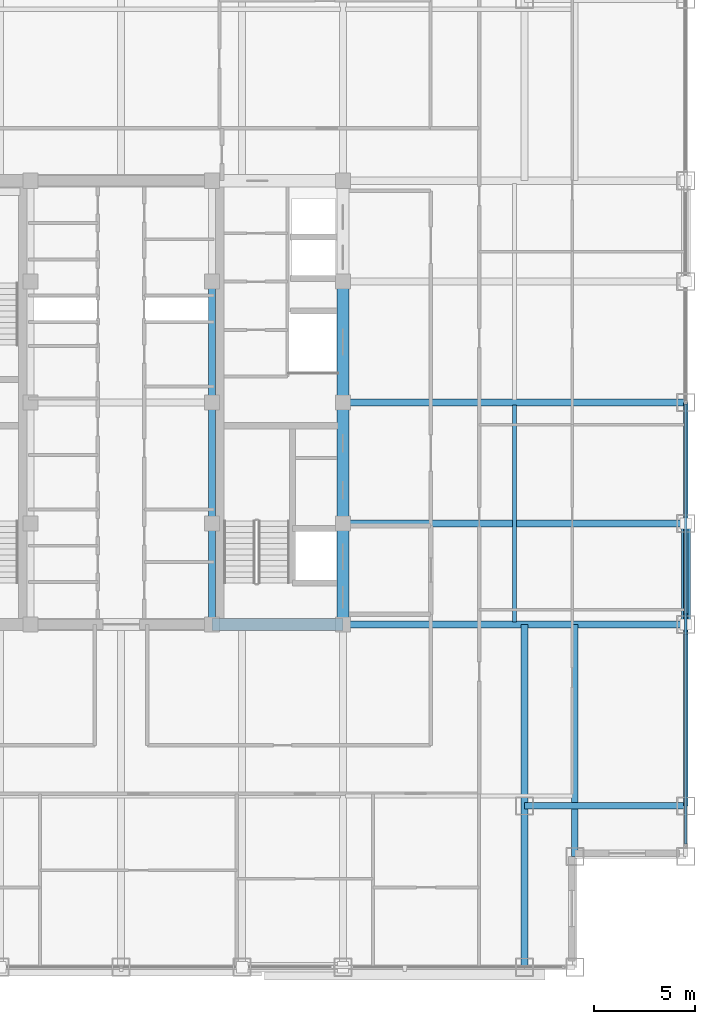
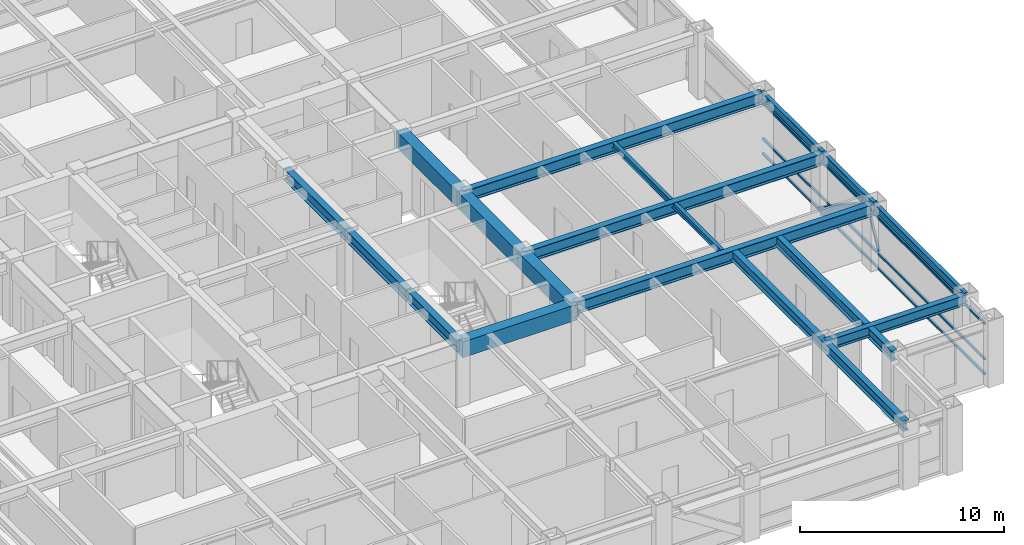
# One storey, part 9 of 27: 17 beams, 5 members, 1 element without a shape of its own.
"""IFC4 building model written with IfcOpenShell, lengths in metres."""

from ifc_helpers import new_model, si_unit, direction, frame, origin, origin_2d, place, context, subcontext, project, spatial, rectangle, hollow_rectangle, i_section, extrude, source, transform, mapped, material, material_profile, profile_set, type_object, element, aggregate, save


model = new_model("IFC4")

# Units and contexts
model_context = context("Model", 3, precision=1e-05, world=origin(), true_north=direction((0.0, 1.0)))
body_context = subcontext(model_context, "Body", "Model", "MODEL_VIEW")
ifc_project = project(units=[si_unit("LENGTHUNIT", "METRE"), si_unit("AREAUNIT", "SQUARE_METRE"), si_unit("VOLUMEUNIT", "CUBIC_METRE"), si_unit("PLANEANGLEUNIT", "RADIAN"), si_unit("MASSUNIT", "GRAM", prefix="KILO")], contexts=[model_context])

# Site, building, storey
site_placement = place(None, origin())
site = spatial("IfcSite", under=ifc_project, at=site_placement, CompositionType="ELEMENT")
building_placement = place(site_placement, origin())
building = spatial("IfcBuilding", under=site, at=building_placement, Name="Khorayat Bourse Tower", CompositionType="ELEMENT")
storey_placement = place(building_placement, frame((0.0, 0.0, 285.5)))
storey = spatial("IfcBuildingStorey", under=building, at=storey_placement, Name="L67", CompositionType="ELEMENT", Elevation=285.5)

# Beams
ifc_material_1 = material(Name="Steel ASTM A992 Grade 50", Category="steel")
ifc_material_profile_1 = material_profile(ifc_material_1, i_section(OverallWidth=0.35498046875, OverallDepth=0.695068359375, WebThickness=0.015380859375, FlangeThickness=0.02490234375, FilletRadius=0.01806640625, at=origin_2d()), Name="W690X217")
ifc_profile_set_1 = profile_set([ifc_material_profile_1], Name="Steel ASTM A992 Grade 50")
beam_type_1 = type_object("IfcBeamType", Name="BM-GIRD-690", PredefinedType="BEAM", material=ifc_profile_set_1)
shared_shape_1 = source(origin(), body_context, "Body", "SweptSolid", [
    extrude(i_section(OverallWidth=0.35498046875, OverallDepth=0.695068359375, WebThickness=0.015380859375, FlangeThickness=0.02490234375, FilletRadius=0.01806640625, at=origin_2d()), origin(), (0.0, 0.0, 1.0), 5.0),
])
beam_1_placement = place(storey_placement, frame((4.5, -11.0, 3.4326171875), z_axis=(0.0, 1.0, 0.0), x_axis=(-1.0, 0.0, 0.0)))
element("IfcBeam", 1, at=beam_1_placement, inside=storey, type_object=beam_type_1, Name="L67 BM-GIRD-690 BM-L67-CRX-09", PredefinedType="BEAM", context=body_context, shape_type="MappedRepresentation", body=[
    mapped(shared_shape_1, transform((0.0, 0.0, 0.0), scale=1.0)),
])
shared_shape_2 = source(origin(), body_context, "Body", "SweptSolid", [
    extrude(i_section(OverallWidth=0.35498046875, OverallDepth=0.695068359375, WebThickness=0.015380859375, FlangeThickness=0.02490234375, FilletRadius=0.01806640625, at=origin_2d()), origin(), (0.0, 0.0, 1.0), 6.0),
])
for number, where, z_axis, x_axis, name in (
    (2, (4.5, -6.0, 3.4326171875), (0.0, 1.0, 0.0), (-1.0, 0.0, 0.0), "L67 BM-GIRD-690 BM-L67-CRX-10"),
    (3, (4.5, 0.0, 3.4326171875), (0.0, 1.0, 0.0), (-1.0, 0.0, 0.0), "L67 BM-GIRD-690 BM-L67-CRX-11"),
):
    element("IfcBeam", number, at=place(storey_placement, frame(where, z_axis=z_axis, x_axis=x_axis)), inside=storey, type_object=beam_type_1, Name=name, PredefinedType="BEAM", context=body_context, shape_type="MappedRepresentation", body=[
        mapped(shared_shape_2, transform((0.0, 0.0, 0.0), scale=1.0)),
    ])
ifc_material_profile_2 = material_profile(ifc_material_1, i_section(OverallWidth=0.324951171875, OverallDepth=0.615966796875, WebThickness=0.013916015625, FlangeThickness=0.021484375, FilletRadius=0.01611328125, at=origin_2d()), Name="W610X174")
ifc_profile_set_2 = profile_set([ifc_material_profile_2], Name="Steel ASTM A992 Grade 50")
beam_type_2 = type_object("IfcBeamType", Name="BM-GIRD-610", PredefinedType="BEAM", material=ifc_profile_set_2)
shared_shape_3 = source(origin(), body_context, "Body", "SweptSolid", [
    extrude(i_section(OverallWidth=0.324951171875, OverallDepth=0.615966796875, WebThickness=0.013916015625, FlangeThickness=0.021484375, FilletRadius=0.01611328125, at=origin_2d()), origin(), (0.0, 0.0, 1.0), 17.0),
])
beam_2_placement = place(storey_placement, frame((20.0, -28.0, 3.471923828125), z_axis=(0.0, 1.0, 0.0), x_axis=(-1.0, 0.0, 0.0)))
element("IfcBeam", 4, at=beam_2_placement, inside=storey, type_object=beam_type_2, Name="L67 BM-GIRD-610 BM-L67-CNRY-086", PredefinedType="BEAM", context=body_context, shape_type="MappedRepresentation", body=[
    mapped(shared_shape_3, transform((0.0, 0.0, 0.0), scale=1.0)),
])
ifc_material_2 = material(Name="Concrete C60/75", Category="concrete")
ifc_material_profile_3 = material_profile(ifc_material_2, rectangle(XDim=0.60009765625, YDim=0.949951171875, at=origin_2d()), Name="RC 600x950")
ifc_profile_set_3 = profile_set([ifc_material_profile_3], Name="Concrete C60/75")
beam_type_3 = type_object("IfcBeamType", Name="BM-COUP-950", PredefinedType="BEAM", material=ifc_profile_set_3)
shared_shape_4 = source(origin(), body_context, "Body", "SweptSolid", [
    extrude(rectangle(XDim=0.60009765625, YDim=0.949951171875, at=origin_2d()), origin(), (0.0, 0.0, 1.0), 5.0),
])
beam_3_placement = place(storey_placement, frame((11.0, -11.0, 3.304931640625), z_axis=(0.0, 1.0, 0.0), x_axis=(-1.0, 0.0, 0.0)))
element("IfcBeam", 5, at=beam_3_placement, inside=storey, type_object=beam_type_3, Name="L67 BM-COUP-950 BM-L67-CRX-13", PredefinedType="BEAM", context=body_context, shape_type="MappedRepresentation", body=[
    mapped(shared_shape_4, transform((0.0, 0.0, 0.0), scale=1.0)),
])
shared_shape_5 = source(origin(), body_context, "Body", "SweptSolid", [
    extrude(rectangle(XDim=0.60009765625, YDim=0.949951171875, at=origin_2d()), origin(), (0.0, 0.0, 1.0), 6.0),
])
for number, where, z_axis, x_axis, name in (
    (6, (11.0, -6.0, 3.304931640625), (0.0, 1.0, 0.0), (-1.0, 0.0, 0.0), "L67 BM-COUP-950 BM-L67-CRX-14"),
    (7, (11.0, 0.0, 3.304931640625), (0.0, 1.0, 0.0), (-1.0, 0.0, 0.0), "L67 BM-COUP-950 BM-L67-CRX-15"),
):
    element("IfcBeam", number, at=place(storey_placement, frame(where, z_axis=z_axis, x_axis=x_axis)), inside=storey, type_object=beam_type_3, Name=name, PredefinedType="BEAM", context=body_context, shape_type="MappedRepresentation", body=[
        mapped(shared_shape_5, transform((0.0, 0.0, 0.0), scale=1.0)),
    ])
shared_shape_6 = source(origin(), body_context, "Body", "SweptSolid", [
    extrude(rectangle(XDim=0.60009765625, YDim=0.949951171875, at=origin_2d()), origin(), (0.0, 0.0, 1.0), 6.5),
])
beam_4_placement = place(storey_placement, frame((4.5, -11.0, 3.304931640625), z_axis=(1.0, 0.0, 0.0), x_axis=(0.0, 1.0, 0.0)))
element("IfcBeam", 8, at=beam_4_placement, inside=storey, type_object=beam_type_3, Name="L67 BM-COUP-950 BM-L67-CRY-19", PredefinedType="BEAM", context=body_context, shape_type="MappedRepresentation", body=[
    mapped(shared_shape_6, transform((0.0, 0.0, 0.0), scale=1.0)),
])

# Member
ifc_material_3 = material(Name="Steel EN 10025-4 S460M", Category="steel")
ifc_material_profile_4 = material_profile(ifc_material_3, hollow_rectangle(XDim=0.449951171875, YDim=0.449951171875, WallThickness=0.02490234375, at=origin_2d()), Name="HSS 450x450x25")
ifc_profile_set_4 = profile_set([ifc_material_profile_4], Name="Steel EN 10025-4 S460M")
member_type_1 = type_object("IfcMemberType", Name="MBR-TUBE-450", PredefinedType="BRACE", material=ifc_profile_set_4)
shared_shape_7 = source(origin(), body_context, "Body", "SweptSolid", [
    extrude(hollow_rectangle(XDim=0.449951171875, YDim=0.449951171875, WallThickness=0.02490234375, at=origin_2d()), origin(), (0.0, 0.0, 1.0), 5.979736328125),
])
member_1_placement = place(storey_placement, frame((28.0, -11.0, 3.530029296875), z_axis=(0.0, 0.836141536525, -0.548513747227), x_axis=(-1.0, 0.0, 0.0)))
element("IfcMember", 9, at=member_1_placement, inside=storey, type_object=member_type_1, Name="L67 Perimeter Tube Brace 07", PredefinedType="BRACE", context=body_context, shape_type="MappedRepresentation", body=[
    mapped(shared_shape_7, transform((0.0, 0.0, 0.0), scale=1.0)),
])

# Beams
shared_shape_8 = source(origin(), body_context, "Body", "SweptSolid", [
    extrude(i_section(OverallWidth=0.35498046875, OverallDepth=0.695068359375, WebThickness=0.015380859375, FlangeThickness=0.02490234375, FilletRadius=0.01806640625, at=origin_2d()), origin(), (0.0, 0.0, 1.0), 17.0),
])
for number, where, z_axis, x_axis, name in (
    (10, (11.0, -11.0, 3.4326171875), (1.0, 0.0, 0.0), (0.0, 1.0, 0.0), "L67 BM-GIRD-690 BM-L67-RADX-074"),
    (11, (11.0, -6.0, 3.4326171875), (1.0, 0.0, 0.0), (0.0, 1.0, 0.0), "L67 BM-GIRD-690 BM-L67-RADX-076"),
    (12, (11.0, 0.0, 3.4326171875), (1.0, 0.0, 0.0), (0.0, 1.0, 0.0), "L67 BM-GIRD-690 BM-L67-RADX-078"),
):
    element("IfcBeam", number, at=place(storey_placement, frame(where, z_axis=z_axis, x_axis=x_axis)), inside=storey, type_object=beam_type_1, Name=name, PredefinedType="BEAM", context=body_context, shape_type="MappedRepresentation", body=[
        mapped(shared_shape_8, transform((0.0, 0.0, 0.0), scale=1.0)),
    ])
shared_shape_9 = source(origin(), body_context, "Body", "SweptSolid", [
    extrude(i_section(OverallWidth=0.324951171875, OverallDepth=0.615966796875, WebThickness=0.013916015625, FlangeThickness=0.021484375, FilletRadius=0.01611328125, at=origin_2d()), origin(), (0.0, 0.0, 1.0), 11.5),
])
beam_5_placement = place(storey_placement, frame((22.5, -22.5, 3.471923828125), z_axis=(0.0, 1.0, 0.0), x_axis=(-1.0, 0.0, 0.0)))
element("IfcBeam", 13, at=beam_5_placement, inside=storey, type_object=beam_type_2, Name="L67 BM-GIRD-610 BM-L67-CNRY-090", PredefinedType="BEAM", context=body_context, shape_type="MappedRepresentation", body=[
    mapped(shared_shape_9, transform((0.0, 0.0, 0.0), scale=1.0)),
])
shared_shape_10 = source(origin(), body_context, "Body", "SweptSolid", [
    extrude(i_section(OverallWidth=0.324951171875, OverallDepth=0.615966796875, WebThickness=0.013916015625, FlangeThickness=0.021484375, FilletRadius=0.01611328125, at=origin_2d()), origin(), (0.0, 0.0, 1.0), 8.0),
])
beam_6_placement = place(storey_placement, frame((20.0, -20.0, 3.471923828125), z_axis=(1.0, 0.0, 0.0), x_axis=(0.0, 1.0, 0.0)))
element("IfcBeam", 14, at=beam_6_placement, inside=storey, type_object=beam_type_2, Name="L67 BM-GIRD-610 BM-L67-CNRX-092", PredefinedType="BEAM", context=body_context, shape_type="MappedRepresentation", body=[
    mapped(shared_shape_10, transform((0.0, 0.0, 0.0), scale=1.0)),
])
ifc_material_profile_5 = material_profile(ifc_material_1, i_section(OverallWidth=0.202880859375, OverallDepth=0.346923828125, WebThickness=0.0078125, FlangeThickness=0.013427734375, FilletRadius=0.010009765625, at=origin_2d()), Name="W360X64")
ifc_profile_set_5 = profile_set([ifc_material_profile_5], Name="Steel ASTM A992 Grade 50")
beam_type_4 = type_object("IfcBeamType", Name="BM-JOIST-360", PredefinedType="JOIST", material=ifc_profile_set_5)
shared_shape_11 = source(origin(), body_context, "Body", "SweptSolid", [
    extrude(i_section(OverallWidth=0.202880859375, OverallDepth=0.346923828125, WebThickness=0.0078125, FlangeThickness=0.013427734375, FilletRadius=0.010009765625, at=origin_2d()), origin(), (0.0, 0.0, 1.0), 10.740234375),
])
beam_7_placement = place(storey_placement, frame((19.5, -10.8701171875, 3.6064453125), z_axis=(0.0, 1.0, 0.0), x_axis=(-1.0, 0.0, 0.0)))
element("IfcBeam", 15, at=beam_7_placement, inside=storey, type_object=beam_type_4, Name="L67 BM-JOIST-360 BM-L67-JSTY-104", PredefinedType="JOIST", context=body_context, shape_type="MappedRepresentation", body=[
    mapped(shared_shape_11, transform((0.0, 0.0, 0.0), scale=1.0)),
])
ifc_material_profile_6 = material_profile(ifc_material_1, i_section(OverallWidth=0.214111328125, OverallDepth=0.549072265625, WebThickness=0.0146484375, FlangeThickness=0.023681640625, FilletRadius=0.013916015625, at=origin_2d()), Name="W530X138")
ifc_profile_set_6 = profile_set([ifc_material_profile_6], Name="Steel ASTM A992 Grade 50")
beam_type_5 = type_object("IfcBeamType", Name="BM-SPAN-530", PredefinedType="SPANDREL", material=ifc_profile_set_6)
shared_shape_12 = source(origin(), body_context, "Body", "SweptSolid", [
    extrude(i_section(OverallWidth=0.214111328125, OverallDepth=0.549072265625, WebThickness=0.0146484375, FlangeThickness=0.023681640625, FilletRadius=0.013916015625, at=origin_2d()), origin(), (0.0, 0.0, 1.0), 9.0),
])
beam_8_placement = place(storey_placement, frame((28.0, -20.0, 3.505615234375), z_axis=(0.0, 1.0, 0.0), x_axis=(-1.0, 0.0, 0.0)))
element("IfcBeam", 16, at=beam_8_placement, inside=storey, type_object=beam_type_5, Name="L67 BM-SPAN-530 BM-L67-SPN-035", PredefinedType="SPANDREL", context=body_context, shape_type="MappedRepresentation", body=[
    mapped(shared_shape_12, transform((0.0, 0.0, 0.0), scale=1.0)),
])
shared_shape_13 = source(origin(), body_context, "Body", "SweptSolid", [
    extrude(i_section(OverallWidth=0.214111328125, OverallDepth=0.549072265625, WebThickness=0.0146484375, FlangeThickness=0.023681640625, FilletRadius=0.013916015625, at=origin_2d()), origin(), (0.0, 0.0, 1.0), 5.0),
])
beam_9_placement = place(storey_placement, frame((28.0, -11.0, 3.505615234375), z_axis=(0.0, 1.0, 0.0), x_axis=(-1.0, 0.0, 0.0)))
element("IfcBeam", 17, at=beam_9_placement, inside=storey, type_object=beam_type_5, Name="L67 BM-SPAN-530 BM-L67-SPN-036", PredefinedType="SPANDREL", context=body_context, shape_type="MappedRepresentation", body=[
    mapped(shared_shape_13, transform((0.0, 0.0, 0.0), scale=1.0)),
])
shared_shape_14 = source(origin(), body_context, "Body", "SweptSolid", [
    extrude(i_section(OverallWidth=0.214111328125, OverallDepth=0.549072265625, WebThickness=0.0146484375, FlangeThickness=0.023681640625, FilletRadius=0.013916015625, at=origin_2d()), origin(), (0.0, 0.0, 1.0), 6.0),
])
beam_10_placement = place(storey_placement, frame((28.0, -6.0, 3.505615234375), z_axis=(0.0, 1.0, 0.0), x_axis=(-1.0, 0.0, 0.0)))
element("IfcBeam", 18, at=beam_10_placement, inside=storey, type_object=beam_type_5, Name="L67 BM-SPAN-530 BM-L67-SPN-037", PredefinedType="SPANDREL", context=body_context, shape_type="MappedRepresentation", body=[
    mapped(shared_shape_14, transform((0.0, 0.0, 0.0), scale=1.0)),
])

# Curtain wall, members
ifc_material_4 = material(Name="Aluminium EN AW-6063 T6", Category="aluminium")
curtain_wall_type = type_object("IfcCurtainWallType", Name="CW-SYS-04", PredefinedType="NOTDEFINED", material=ifc_material_4)
curtain_wall_placement = place(storey_placement, origin())
curtain_wall = element("IfcCurtainWall", 19, at=curtain_wall_placement, inside=storey, type_object=curtain_wall_type, Name="L67 Curtain Wall CW-L67-E1", PredefinedType="NOTDEFINED")
ifc_material_profile_7 = material_profile(ifc_material_4, hollow_rectangle(XDim=0.1201171875, YDim=0.1201171875, WallThickness=0.0048828125, at=origin_2d()), Name="ALU 120x120x5")
ifc_profile_set_7 = profile_set([ifc_material_profile_7], Name="Aluminium EN AW-6063 T6")
member_type_2 = type_object("IfcMemberType", Name="CWM-DIAG-120", PredefinedType="MULLION", material=ifc_profile_set_7)
shared_shape_15 = source(origin(), body_context, "Body", "SweptSolid", [
    extrude(hollow_rectangle(XDim=0.1201171875, YDim=0.1201171875, WallThickness=0.0048828125, at=origin_2d()), origin(), (0.0, 0.0, 1.0), 2.0791015625),
])
member_2_placement = place(storey_placement, frame((28.0, -11.4541015625, 1.090087890625), z_axis=(0.0, 0.465717394116, 0.884933505309), x_axis=(-1.0, 0.0, 0.0)))
member_2 = element("IfcMember", 20, at=member_2_placement, type_object=member_type_2, Name="CW-L67-E1 Faceted Diagonal Mullion 1", PredefinedType="MULLION", context=body_context, shape_type="MappedRepresentation", body=[
    mapped(shared_shape_15, transform((0.0, 0.0, 0.0), scale=1.0)),
])
ifc_material_profile_8 = material_profile(ifc_material_4, hollow_rectangle(XDim=0.1201171875, YDim=0.1201171875, WallThickness=0.0048828125, at=origin_2d()), Name="ALU 120x120x5")
ifc_profile_set_8 = profile_set([ifc_material_profile_8], Name="Aluminium EN AW-6063 T6")
member_type_3 = type_object("IfcMemberType", Name="CWT-HORZ-120", PredefinedType="USERDEFINED", material=ifc_profile_set_8)
shared_shape_16 = source(origin(), body_context, "Body", "SweptSolid", [
    extrude(hollow_rectangle(XDim=0.1201171875, YDim=0.1201171875, WallThickness=0.0048828125, at=origin_2d()), origin(), (0.0, 0.0, 1.0), 21.81982421875),
])
member_3_placement = place(storey_placement, frame((28.0, -21.8798828125, 0.06005859375), z_axis=(0.0, 1.0, 0.0), x_axis=(-1.0, 0.0, 0.0)))
member_3 = element("IfcMember", 21, at=member_3_placement, type_object=member_type_3, Name="CW-L67-E1 Horizontal Transom 1-1", ObjectType="TRANSOM", PredefinedType="USERDEFINED", context=body_context, shape_type="MappedRepresentation", body=[
    mapped(shared_shape_16, transform((0.0, 0.0, 0.0), scale=1.0)),
])
member_4_placement = place(storey_placement, frame((28.0, -21.8798828125, 0.949951171875), z_axis=(0.0, 1.0, 0.0), x_axis=(-1.0, 0.0, 0.0)))
member_4 = element("IfcMember", 22, at=member_4_placement, type_object=member_type_3, Name="CW-L67-E1 Horizontal Transom 1-2", ObjectType="TRANSOM", PredefinedType="USERDEFINED", context=body_context, shape_type="MappedRepresentation", body=[
    mapped(shared_shape_16, transform((0.0, 0.0, 0.0), scale=1.0)),
])
member_5_placement = place(storey_placement, frame((28.0, -21.8798828125, 3.070068359375), z_axis=(0.0, 1.0, 0.0), x_axis=(-1.0, 0.0, 0.0)))
member_5 = element("IfcMember", 23, at=member_5_placement, type_object=member_type_3, Name="CW-L67-E1 Horizontal Transom 1-3", ObjectType="TRANSOM", PredefinedType="USERDEFINED", context=body_context, shape_type="MappedRepresentation", body=[
    mapped(shared_shape_16, transform((0.0, 0.0, 0.0), scale=1.0)),
])
aggregate(curtain_wall, [member_3, member_4, member_5, member_2])

save(model, "model.ifc")
